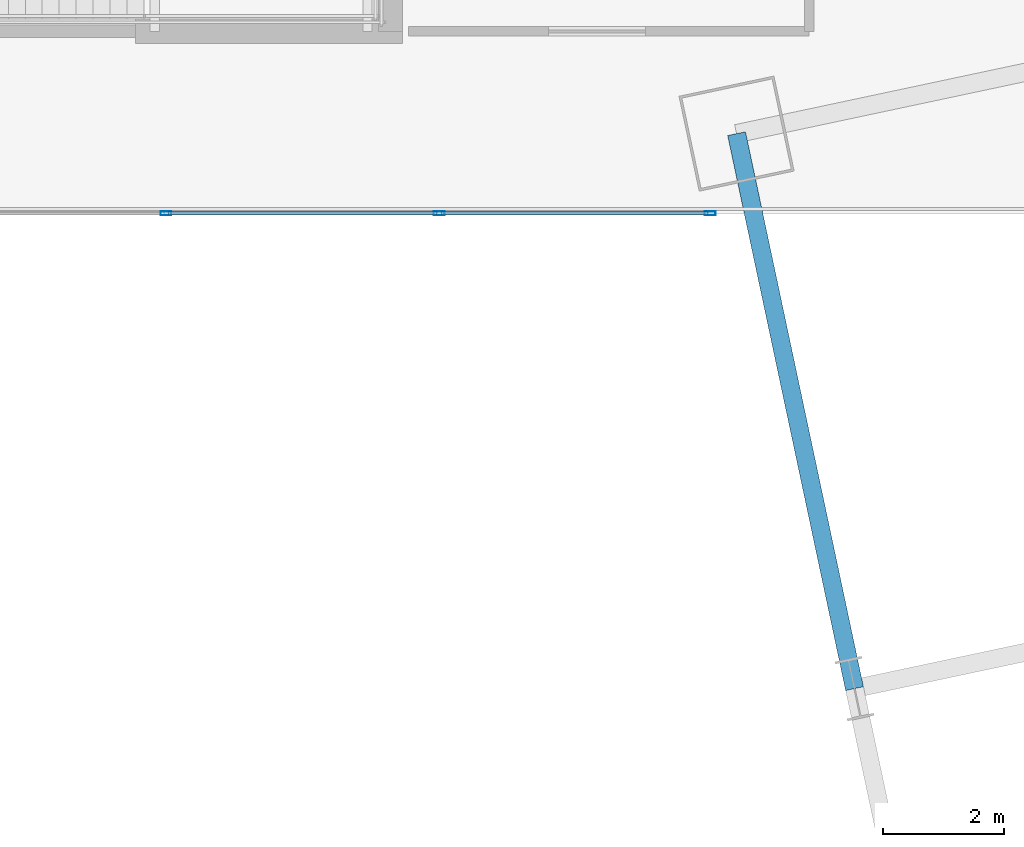
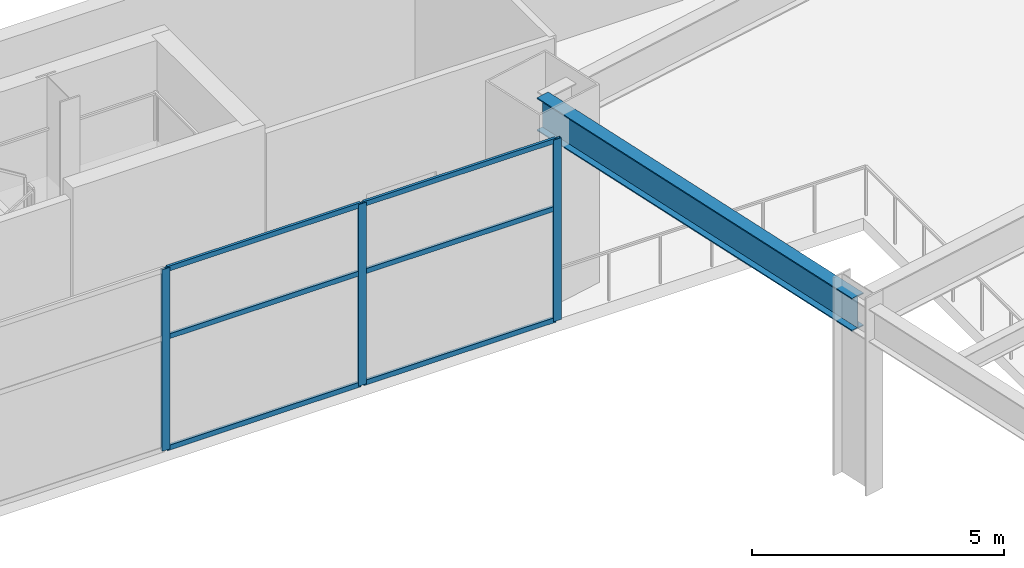
# One storey, part 12 of 30: 9 members, 1 beam, 1 element without a shape of its own.
"""IFC4 building model written with IfcOpenShell, lengths in metres."""

from ifc_helpers import new_model, si_unit, direction, frame, origin, origin_2d, place, context, subcontext, project, spatial, hollow_rectangle, i_section, extrude, material, layer, layer_set, material_profile, profile_set, type_object, element, aggregate, save


model = new_model("IFC4")

# Units and contexts
model_context = context("Model", 3, precision=1e-05, world=origin(), true_north=direction((0.0, 1.0)))
body_context = subcontext(model_context, "Body", "Model", "MODEL_VIEW")
ifc_project = project(units=[si_unit("LENGTHUNIT", "METRE"), si_unit("AREAUNIT", "SQUARE_METRE"), si_unit("VOLUMEUNIT", "CUBIC_METRE"), si_unit("PLANEANGLEUNIT", "RADIAN"), si_unit("MASSUNIT", "GRAM", prefix="KILO")], contexts=[model_context])

# Site, building, storey
site_placement = place(None, origin())
site = spatial("IfcSite", under=ifc_project, at=site_placement, CompositionType="ELEMENT")
building_placement = place(site_placement, origin())
building = spatial("IfcBuilding", under=site, at=building_placement, Name="Haevon Station Towers", CompositionType="ELEMENT")
storey_placement = place(building_placement, frame((0.0, 0.0, 15.60009765625)))
storey = spatial("IfcBuildingStorey", under=building, at=storey_placement, Name="L03", CompositionType="ELEMENT", Elevation=15.60009765625)

# Beam
ifc_material_1 = material(Name="Steel S355", Category="steel")
ifc_material_profile_1 = material_profile(ifc_material_1, i_section(OverallWidth=0.300048828125, OverallDepth=0.800048828125, WebThickness=0.013916015625, FlangeThickness=0.02587890625, at=origin_2d()), Name="H-800x300x14x26")
ifc_profile_set_1 = profile_set([ifc_material_profile_1], Name="Steel S355")
beam_type = type_object("IfcBeamType", Name="BM-PG800", PredefinedType="BEAM", material=ifc_profile_set_1)
beam_placement = place(storey_placement, frame((83.346435546875, 34.167724609375, 4.099853515625), z_axis=(-0.207897167074, 0.978150687738, 0.0), x_axis=(-0.978150687738, -0.207897167074, 0.0)))
element("IfcBeam", 1, at=beam_placement, inside=storey, type_object=beam_type, Name="BM-T2V-L03-01-03", PredefinedType="BEAM", context=body_context, shape_type="SweptSolid", body=[
    extrude(i_section(OverallWidth=0.300048828125, OverallDepth=0.800048828125, WebThickness=0.013916015625, FlangeThickness=0.02587890625, at=origin_2d()), origin(), (0.0, 0.0, 1.0), 9.35009765625),
])

# Curtain wall, members
ifc_material_2 = material(Name="Anodised aluminium and Low-E double glazing", Category="aluminium")
ifc_layer = layer(ifc_material_2, 0.179931640625)
ifc_layer_set = layer_set([ifc_layer], Name="Anodised aluminium and Low-E double glazing")
curtain_wall_type = type_object("IfcCurtainWallType", Name="CW-SYS2", PredefinedType="NOTDEFINED", material=ifc_layer_set)
curtain_wall_placement = place(storey_placement, origin())
curtain_wall = element("IfcCurtainWall", 2, at=curtain_wall_placement, inside=storey, type_object=curtain_wall_type, Name="L03 Curtain Wall CW-POD-L03-ATRN", PredefinedType="NOTDEFINED")
ifc_material_3 = material(Name="Anodised aluminium 6063-T6", Category="aluminium")
ifc_material_profile_2 = material_profile(ifc_material_3, hollow_rectangle(XDim=0.06494140625, YDim=0.179931640625, WallThickness=0.00390625, at=origin_2d()), Name="CWM-180x65x4")
ifc_profile_set_2 = profile_set([ifc_material_profile_2], Name="Anodised aluminium 6063-T6")
member_type_1 = type_object("IfcMemberType", Name="CWM-180", PredefinedType="MULLION", material=ifc_profile_set_2)
member_1_placement = place(storey_placement, frame((72.0, 42.0, 0.0), z_axis=(0.0, 0.0, 1.0), x_axis=(0.0, 1.0, 0.0)))
member_1 = element("IfcMember", 3, at=member_1_placement, type_object=member_type_1, Name="CW-SYS2 mullion 3", PredefinedType="MULLION", context=body_context, shape_type="SweptSolid", body=[
    extrude(hollow_rectangle(XDim=0.06494140625, YDim=0.179931640625, WallThickness=0.00390625, at=origin_2d()), origin(), (0.0, 0.0, 1.0), 4.39990234375),
])
member_2_placement = place(storey_placement, frame((76.5, 42.0, 0.0), z_axis=(0.0, 0.0, 1.0), x_axis=(0.0, 1.0, 0.0)))
member_2 = element("IfcMember", 4, at=member_2_placement, type_object=member_type_1, Name="CW-SYS2 mullion 4", PredefinedType="MULLION", context=body_context, shape_type="SweptSolid", body=[
    extrude(hollow_rectangle(XDim=0.06494140625, YDim=0.179931640625, WallThickness=0.00390625, at=origin_2d()), origin(), (0.0, 0.0, 1.0), 4.39990234375),
])
member_3_placement = place(storey_placement, frame((80.967529296875, 42.0, 0.0), z_axis=(0.0, 0.0, 1.0), x_axis=(0.0, 1.0, 0.0)))
member_3 = element("IfcMember", 5, at=member_3_placement, type_object=member_type_1, Name="CW-SYS2 mullion 5", PredefinedType="MULLION", context=body_context, shape_type="SweptSolid", body=[
    extrude(hollow_rectangle(XDim=0.06494140625, YDim=0.179931640625, WallThickness=0.00390625, at=origin_2d()), origin(), (0.0, 0.0, 1.0), 4.39990234375),
])
ifc_material_profile_3 = material_profile(ifc_material_3, hollow_rectangle(XDim=0.06005859375, YDim=0.1201171875, WallThickness=0.0029296875, at=origin_2d()), Name="CWT-120x60x3")
ifc_profile_set_3 = profile_set([ifc_material_profile_3], Name="Anodised aluminium 6063-T6")
member_type_2 = type_object("IfcMemberType", Name="CWT-120", PredefinedType="USERDEFINED", material=ifc_profile_set_3)
member_4_placement = place(storey_placement, frame((72.032470703125, 42.0, 0.02978515625), z_axis=(1.0, 0.0, 0.0), x_axis=(0.0, 1.0, 0.0)))
member_4 = element("IfcMember", 6, at=member_4_placement, type_object=member_type_2, Name="CW-SYS2 transom 3.1", ObjectType="TRANSOM", PredefinedType="USERDEFINED", context=body_context, shape_type="SweptSolid", body=[
    extrude(hollow_rectangle(XDim=0.06005859375, YDim=0.1201171875, WallThickness=0.0029296875, at=origin_2d()), origin(), (0.0, 0.0, 1.0), 4.43505859375),
])
member_5_placement = place(storey_placement, frame((72.032470703125, 42.0, 2.727783203125), z_axis=(1.0, 0.0, 0.0), x_axis=(0.0, 1.0, 0.0)))
member_5 = element("IfcMember", 7, at=member_5_placement, type_object=member_type_2, Name="CW-SYS2 transom 3.2", ObjectType="TRANSOM", PredefinedType="USERDEFINED", context=body_context, shape_type="SweptSolid", body=[
    extrude(hollow_rectangle(XDim=0.06005859375, YDim=0.1201171875, WallThickness=0.0029296875, at=origin_2d()), origin(), (0.0, 0.0, 1.0), 4.43505859375),
])
member_6_placement = place(storey_placement, frame((72.032470703125, 42.0, 4.369873046875), z_axis=(1.0, 0.0, 0.0), x_axis=(0.0, 1.0, 0.0)))
member_6 = element("IfcMember", 8, at=member_6_placement, type_object=member_type_2, Name="CW-SYS2 transom 3.3", ObjectType="TRANSOM", PredefinedType="USERDEFINED", context=body_context, shape_type="SweptSolid", body=[
    extrude(hollow_rectangle(XDim=0.06005859375, YDim=0.1201171875, WallThickness=0.0029296875, at=origin_2d()), origin(), (0.0, 0.0, 1.0), 4.43505859375),
])
member_7_placement = place(storey_placement, frame((76.532470703125, 42.0, 0.02978515625), z_axis=(1.0, 0.0, 0.0), x_axis=(0.0, 1.0, 0.0)))
member_7 = element("IfcMember", 9, at=member_7_placement, type_object=member_type_2, Name="CW-SYS2 transom 4.1", ObjectType="TRANSOM", PredefinedType="USERDEFINED", context=body_context, shape_type="SweptSolid", body=[
    extrude(hollow_rectangle(XDim=0.06005859375, YDim=0.1201171875, WallThickness=0.0029296875, at=origin_2d()), origin(), (0.0, 0.0, 1.0), 4.402587890625),
])
member_8_placement = place(storey_placement, frame((76.532470703125, 42.0, 2.727783203125), z_axis=(1.0, 0.0, 0.0), x_axis=(0.0, 1.0, 0.0)))
member_8 = element("IfcMember", 10, at=member_8_placement, type_object=member_type_2, Name="CW-SYS2 transom 4.2", ObjectType="TRANSOM", PredefinedType="USERDEFINED", context=body_context, shape_type="SweptSolid", body=[
    extrude(hollow_rectangle(XDim=0.06005859375, YDim=0.1201171875, WallThickness=0.0029296875, at=origin_2d()), origin(), (0.0, 0.0, 1.0), 4.402587890625),
])
member_9_placement = place(storey_placement, frame((76.532470703125, 42.0, 4.369873046875), z_axis=(1.0, 0.0, 0.0), x_axis=(0.0, 1.0, 0.0)))
member_9 = element("IfcMember", 11, at=member_9_placement, type_object=member_type_2, Name="CW-SYS2 transom 4.3", ObjectType="TRANSOM", PredefinedType="USERDEFINED", context=body_context, shape_type="SweptSolid", body=[
    extrude(hollow_rectangle(XDim=0.06005859375, YDim=0.1201171875, WallThickness=0.0029296875, at=origin_2d()), origin(), (0.0, 0.0, 1.0), 4.402587890625),
])
aggregate(curtain_wall, [member_1, member_2, member_3, member_4, member_5, member_6, member_7, member_8, member_9])

save(model, "model.ifc")
